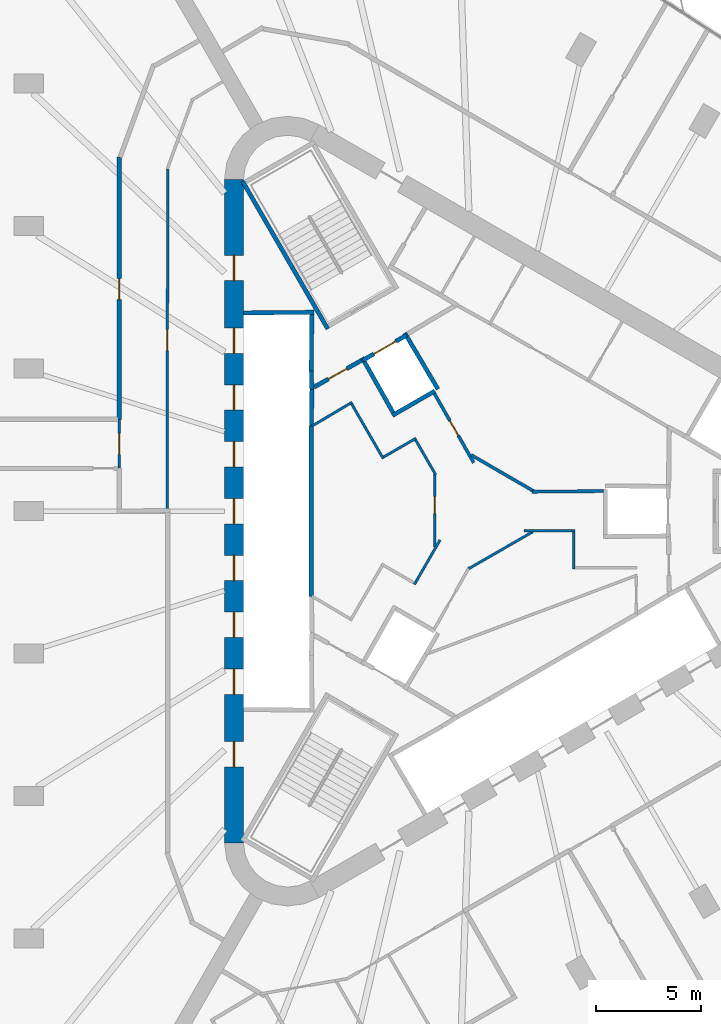
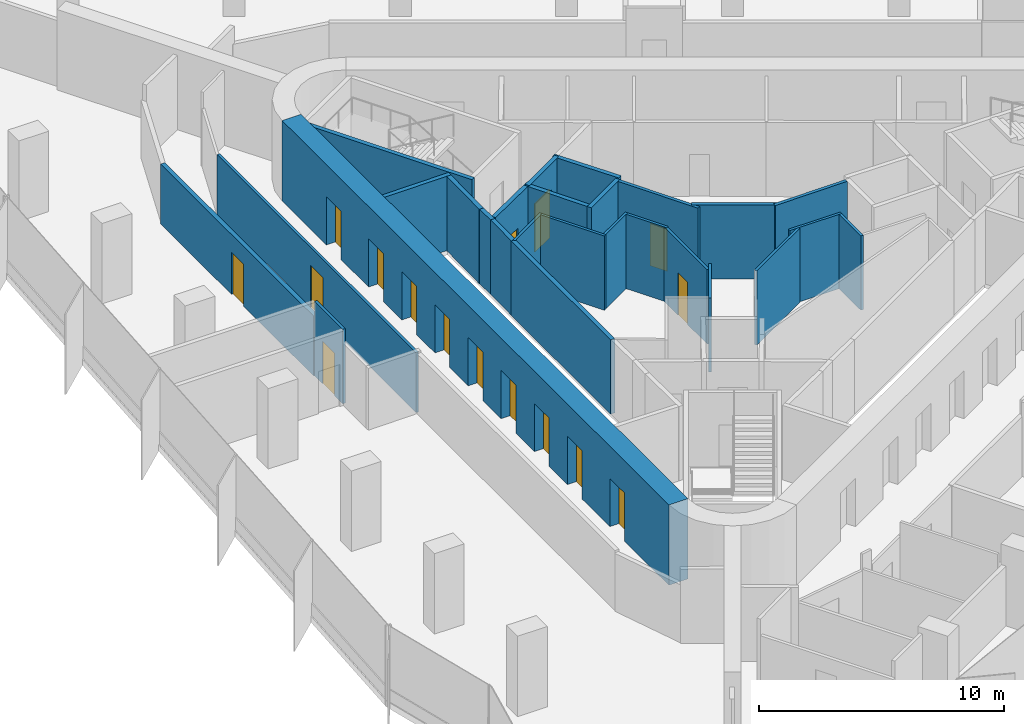
# One storey, part 10 of 14: 27 walls, 16 doors, 16 openings.
"""IFC4 building model written with IfcOpenShell, lengths in metres."""

from ifc_helpers import new_model, si_unit, direction, frame, frame_2d, origin, place, context, subcontext, project, spatial, rectangle, extrude, material, layer, layer_set, type_object, element, fill, save


model = new_model("IFC4")

# Units and contexts
model_context = context("Model", 3, precision=1e-05, world=origin(), true_north=direction((0.0, 1.0)))
body_context = subcontext(model_context, "Body", "Model", "MODEL_VIEW")
ifc_project = project(units=[si_unit("LENGTHUNIT", "METRE"), si_unit("AREAUNIT", "SQUARE_METRE"), si_unit("VOLUMEUNIT", "CUBIC_METRE"), si_unit("PLANEANGLEUNIT", "RADIAN"), si_unit("MASSUNIT", "GRAM", prefix="KILO")], contexts=[model_context])

# Site, building, storey
site_placement = place(None, origin())
site = spatial("IfcSite", under=ifc_project, at=site_placement, CompositionType="ELEMENT")
building_placement = place(site_placement, origin())
building = spatial("IfcBuilding", under=site, at=building_placement, Name="Tanit Gate Tower", CompositionType="ELEMENT")
storey_placement = place(building_placement, frame((0.0, 0.0, 253.199951171875)))
storey = spatial("IfcBuildingStorey", under=building, at=storey_placement, Name="L57", CompositionType="ELEMENT", Elevation=253.199951171875)

# Wall, openings, doors
ifc_material_1 = material(Name="Concrete C50/60", Category="concrete")
ifc_layer_1 = layer(ifc_material_1, 0.89990234375)
ifc_layer_set_1 = layer_set([ifc_layer_1], Name="CORE WALL 900 C50/60")
wall_type_1 = type_object("IfcWallType", Name="CORE WALL 900 C50/60", PredefinedType="SHEAR", material=ifc_layer_set_1)
wall_1_placement = place(storey_placement, frame((-11.64990234375, 15.76171875, 0.0), z_axis=(0.0, 0.0, 1.0), x_axis=(0.0, -1.0, 0.0)))
wall_1 = element("IfcWall", 1, at=wall_1_placement, inside=storey, type_object=wall_type_1, Name="CORE WALL", PredefinedType="SHEAR", context=body_context, shape_type="SweptSolid", body=[
    extrude(rectangle(XDim=31.5234375, YDim=0.89990234375, at=frame_2d((15.76171875, 0.0))), origin(), (0.0, 0.0, 1.0), 4.0),
])
opening_1_placement = place(wall_1_placement, frame((7.061767578125, 0.0, 0.0)))
opening_1 = element("IfcOpeningElement", 2, at=opening_1_placement, cuts=wall_1, Name="Opening LDML1-S16", PredefinedType="OPENING", context=body_context, shape_type="SweptSolid", body=[
    extrude(rectangle(XDim=1.199951171875, YDim=2.39990234375, at=frame_2d((0.60009765625, 1.199951171875))), frame((0.0, 0.4599609375, 0.0), z_axis=(0.0, -1.0, 0.0), x_axis=(1.0, 0.0, 0.0)), (0.0, 0.0, 1.0), 0.919921875),
])
opening_2_placement = place(wall_1_placement, frame((9.76171875, 0.0, 0.0)))
opening_2 = element("IfcOpeningElement", 3, at=opening_2_placement, cuts=wall_1, Name="Opening LDML2-S16", PredefinedType="OPENING", context=body_context, shape_type="SweptSolid", body=[
    extrude(rectangle(XDim=1.199951171875, YDim=2.39990234375, at=frame_2d((0.60009765625, 1.199951171875))), frame((0.0, 0.4599609375, 0.0), z_axis=(0.0, -1.0, 0.0), x_axis=(1.0, 0.0, 0.0)), (0.0, 0.0, 1.0), 0.919921875),
])
opening_3_placement = place(wall_1_placement, frame((12.461669921875, 0.0, 0.0)))
opening_3 = element("IfcOpeningElement", 4, at=opening_3_placement, cuts=wall_1, Name="Opening LDML3-S16", PredefinedType="OPENING", context=body_context, shape_type="SweptSolid", body=[
    extrude(rectangle(XDim=1.199951171875, YDim=2.39990234375, at=frame_2d((0.60009765625, 1.199951171875))), frame((0.0, 0.4599609375, 0.0), z_axis=(0.0, -1.0, 0.0), x_axis=(1.0, 0.0, 0.0)), (0.0, 0.0, 1.0), 0.919921875),
])
opening_4_placement = place(wall_1_placement, frame((15.16162109375, 0.0, 0.0)))
opening_4 = element("IfcOpeningElement", 5, at=opening_4_placement, cuts=wall_1, Name="Opening LDML4-S16", PredefinedType="OPENING", context=body_context, shape_type="SweptSolid", body=[
    extrude(rectangle(XDim=1.199951171875, YDim=2.39990234375, at=frame_2d((0.60009765625, 1.199951171875))), frame((0.0, 0.4599609375, 0.0), z_axis=(0.0, -1.0, 0.0), x_axis=(1.0, 0.0, 0.0)), (0.0, 0.0, 1.0), 0.919921875),
])
opening_5_placement = place(wall_1_placement, frame((17.86181640625, 0.0, 0.0)))
opening_5 = element("IfcOpeningElement", 6, at=opening_5_placement, cuts=wall_1, Name="Opening LDML5-S16", PredefinedType="OPENING", context=body_context, shape_type="SweptSolid", body=[
    extrude(rectangle(XDim=1.199951171875, YDim=2.39990234375, at=frame_2d((0.60009765625, 1.199951171875))), frame((0.0, 0.4599609375, 0.0), z_axis=(0.0, -1.0, 0.0), x_axis=(1.0, 0.0, 0.0)), (0.0, 0.0, 1.0), 0.919921875),
])
opening_6_placement = place(wall_1_placement, frame((20.561767578125, 0.0, 0.0)))
opening_6 = element("IfcOpeningElement", 7, at=opening_6_placement, cuts=wall_1, Name="Opening LDML6-S16", PredefinedType="OPENING", context=body_context, shape_type="SweptSolid", body=[
    extrude(rectangle(XDim=1.199951171875, YDim=2.39990234375, at=frame_2d((0.60009765625, 1.199951171875))), frame((0.0, 0.4599609375, 0.0), z_axis=(0.0, -1.0, 0.0), x_axis=(1.0, 0.0, 0.0)), (0.0, 0.0, 1.0), 0.919921875),
])
opening_7_placement = place(wall_1_placement, frame((23.26171875, 0.0, 0.0)))
opening_7 = element("IfcOpeningElement", 8, at=opening_7_placement, cuts=wall_1, Name="Opening LDML7-S16", PredefinedType="OPENING", context=body_context, shape_type="SweptSolid", body=[
    extrude(rectangle(XDim=1.199951171875, YDim=2.39990234375, at=frame_2d((0.60009765625, 1.199951171875))), frame((0.0, 0.4599609375, 0.0), z_axis=(0.0, -1.0, 0.0), x_axis=(1.0, 0.0, 0.0)), (0.0, 0.0, 1.0), 0.919921875),
])
opening_8_placement = place(wall_1_placement, frame((3.61181640625, 0.0, 0.0)))
opening_8 = element("IfcOpeningElement", 9, at=opening_8_placement, cuts=wall_1, Name="Opening F12-S16-FL2", PredefinedType="OPENING", context=body_context, shape_type="SweptSolid", body=[
    extrude(rectangle(XDim=1.199951171875, YDim=2.39990234375, at=frame_2d((0.60009765625, 1.199951171875))), frame((0.0, 0.4599609375, 0.0), z_axis=(0.0, -1.0, 0.0), x_axis=(1.0, 0.0, 0.0)), (0.0, 0.0, 1.0), 0.919921875),
])
opening_9_placement = place(wall_1_placement, frame((26.711669921875, 0.0, 0.0)))
opening_9 = element("IfcOpeningElement", 10, at=opening_9_placement, cuts=wall_1, Name="Opening F12-S16-S3", PredefinedType="OPENING", context=body_context, shape_type="SweptSolid", body=[
    extrude(rectangle(XDim=1.199951171875, YDim=2.39990234375, at=frame_2d((0.60009765625, 1.199951171875))), frame((0.0, 0.4599609375, 0.0), z_axis=(0.0, -1.0, 0.0), x_axis=(1.0, 0.0, 0.0)), (0.0, 0.0, 1.0), 0.919921875),
])
ifc_material_2 = material(Name="Fire-rated steel door leaf", Category="steel")
door_type_1 = type_object("IfcDoorType", Name="INT-DOOR-FIRE-LOBBY-1200", OperationType="NOTDEFINED", PredefinedType="USERDEFINED", material=ifc_material_2)
door_1_placement = place(opening_8_placement, origin())
door_1 = element("IfcDoor", 11, at=door_1_placement, inside=storey, type_object=door_type_1, Name="Door F12-S16-FL2", ObjectType="FIRE DOOR", OperationType="SINGLE_SWING_LEFT", OverallHeight=2.39990234375, OverallWidth=1.199951171875, PredefinedType="USERDEFINED", context=body_context, shape_type="SweptSolid", body=[
    extrude(rectangle(XDim=1.199951171875, YDim=2.39990234375, at=frame_2d((0.60009765625, 1.199951171875))), frame((0.0, 0.02490234375, 0.0), z_axis=(0.0, -1.0, 0.0), x_axis=(1.0, 0.0, 0.0)), (0.0, 0.0, 1.0), 0.050048828125),
])
fill(opening_8, door_1)
door_2_placement = place(opening_9_placement, origin())
door_2 = element("IfcDoor", 12, at=door_2_placement, inside=storey, type_object=door_type_1, Name="Door F12-S16-S3", ObjectType="FIRE DOOR", OperationType="SINGLE_SWING_RIGHT", OverallHeight=2.39990234375, OverallWidth=1.199951171875, PredefinedType="USERDEFINED", context=body_context, shape_type="SweptSolid", body=[
    extrude(rectangle(XDim=1.199951171875, YDim=2.39990234375, at=frame_2d((0.60009765625, 1.199951171875))), frame((0.0, 0.02490234375, 0.0), z_axis=(0.0, -1.0, 0.0), x_axis=(1.0, 0.0, 0.0)), (0.0, 0.0, 1.0), 0.050048828125),
])
fill(opening_9, door_2)
ifc_material_3 = material(Name="Stainless steel sliding door leaf", Category="steel")
door_type_2 = type_object("IfcDoorType", Name="INT-DOOR-LANDING-1200", OperationType="NOTDEFINED", PredefinedType="USERDEFINED", material=ifc_material_3)
door_3_placement = place(opening_1_placement, origin())
door_3 = element("IfcDoor", 13, at=door_3_placement, inside=storey, type_object=door_type_2, Name="Door LDML1-S16", ObjectType="LANDING DOOR", OperationType="SLIDING_TO_LEFT", OverallHeight=2.39990234375, OverallWidth=1.199951171875, PredefinedType="USERDEFINED", context=body_context, shape_type="SweptSolid", body=[
    extrude(rectangle(XDim=1.199951171875, YDim=2.39990234375, at=frame_2d((0.60009765625, 1.199951171875))), frame((0.0, 0.02490234375, 0.0), z_axis=(0.0, -1.0, 0.0), x_axis=(1.0, 0.0, 0.0)), (0.0, 0.0, 1.0), 0.050048828125),
])
fill(opening_1, door_3)
door_4_placement = place(opening_2_placement, origin())
door_4 = element("IfcDoor", 14, at=door_4_placement, inside=storey, type_object=door_type_2, Name="Door LDML2-S16", ObjectType="LANDING DOOR", OperationType="SLIDING_TO_LEFT", OverallHeight=2.39990234375, OverallWidth=1.199951171875, PredefinedType="USERDEFINED", context=body_context, shape_type="SweptSolid", body=[
    extrude(rectangle(XDim=1.199951171875, YDim=2.39990234375, at=frame_2d((0.60009765625, 1.199951171875))), frame((0.0, 0.02490234375, 0.0), z_axis=(0.0, -1.0, 0.0), x_axis=(1.0, 0.0, 0.0)), (0.0, 0.0, 1.0), 0.050048828125),
])
fill(opening_2, door_4)
door_5_placement = place(opening_3_placement, origin())
door_5 = element("IfcDoor", 15, at=door_5_placement, inside=storey, type_object=door_type_2, Name="Door LDML3-S16", ObjectType="LANDING DOOR", OperationType="SLIDING_TO_LEFT", OverallHeight=2.39990234375, OverallWidth=1.199951171875, PredefinedType="USERDEFINED", context=body_context, shape_type="SweptSolid", body=[
    extrude(rectangle(XDim=1.199951171875, YDim=2.39990234375, at=frame_2d((0.60009765625, 1.199951171875))), frame((0.0, 0.02490234375, 0.0), z_axis=(0.0, -1.0, 0.0), x_axis=(1.0, 0.0, 0.0)), (0.0, 0.0, 1.0), 0.050048828125),
])
fill(opening_3, door_5)
door_6_placement = place(opening_4_placement, origin())
door_6 = element("IfcDoor", 16, at=door_6_placement, inside=storey, type_object=door_type_2, Name="Door LDML4-S16", ObjectType="LANDING DOOR", OperationType="SLIDING_TO_LEFT", OverallHeight=2.39990234375, OverallWidth=1.199951171875, PredefinedType="USERDEFINED", context=body_context, shape_type="SweptSolid", body=[
    extrude(rectangle(XDim=1.199951171875, YDim=2.39990234375, at=frame_2d((0.60009765625, 1.199951171875))), frame((0.0, 0.02490234375, 0.0), z_axis=(0.0, -1.0, 0.0), x_axis=(1.0, 0.0, 0.0)), (0.0, 0.0, 1.0), 0.050048828125),
])
fill(opening_4, door_6)
door_7_placement = place(opening_5_placement, origin())
door_7 = element("IfcDoor", 17, at=door_7_placement, inside=storey, type_object=door_type_2, Name="Door LDML5-S16", ObjectType="LANDING DOOR", OperationType="SLIDING_TO_LEFT", OverallHeight=2.39990234375, OverallWidth=1.199951171875, PredefinedType="USERDEFINED", context=body_context, shape_type="SweptSolid", body=[
    extrude(rectangle(XDim=1.199951171875, YDim=2.39990234375, at=frame_2d((0.60009765625, 1.199951171875))), frame((0.0, 0.02490234375, 0.0), z_axis=(0.0, -1.0, 0.0), x_axis=(1.0, 0.0, 0.0)), (0.0, 0.0, 1.0), 0.050048828125),
])
fill(opening_5, door_7)
door_8_placement = place(opening_6_placement, origin())
door_8 = element("IfcDoor", 18, at=door_8_placement, inside=storey, type_object=door_type_2, Name="Door LDML6-S16", ObjectType="LANDING DOOR", OperationType="SLIDING_TO_LEFT", OverallHeight=2.39990234375, OverallWidth=1.199951171875, PredefinedType="USERDEFINED", context=body_context, shape_type="SweptSolid", body=[
    extrude(rectangle(XDim=1.199951171875, YDim=2.39990234375, at=frame_2d((0.60009765625, 1.199951171875))), frame((0.0, 0.02490234375, 0.0), z_axis=(0.0, -1.0, 0.0), x_axis=(1.0, 0.0, 0.0)), (0.0, 0.0, 1.0), 0.050048828125),
])
fill(opening_6, door_8)
door_9_placement = place(opening_7_placement, origin())
door_9 = element("IfcDoor", 19, at=door_9_placement, inside=storey, type_object=door_type_2, Name="Door LDML7-S16", ObjectType="LANDING DOOR", OperationType="SLIDING_TO_LEFT", OverallHeight=2.39990234375, OverallWidth=1.199951171875, PredefinedType="USERDEFINED", context=body_context, shape_type="SweptSolid", body=[
    extrude(rectangle(XDim=1.199951171875, YDim=2.39990234375, at=frame_2d((0.60009765625, 1.199951171875))), frame((0.0, 0.02490234375, 0.0), z_axis=(0.0, -1.0, 0.0), x_axis=(1.0, 0.0, 0.0)), (0.0, 0.0, 1.0), 0.050048828125),
])
fill(opening_7, door_9)

# Wall, opening, door
ifc_material_4 = material(Name="Fire-rated gypsum board partition")
ifc_layer_2 = layer(ifc_material_4, 0.199951171875)
ifc_layer_set_2 = layer_set([ifc_layer_2], Name="INT-WALL-COMPARTMENT")
wall_type_2 = type_object("IfcWallType", Name="INT-WALL-COMPARTMENT", PredefinedType="PARTITIONING", material=ifc_layer_set_2)
wall_2_placement = place(storey_placement, frame((-5.600341796875, 7.16015625, 0.0), z_axis=(0.0, 0.0, 1.0), x_axis=(-0.871363259478, -0.490638431059, 0.0)))
wall_2 = element("IfcWall", 20, at=wall_2_placement, inside=storey, type_object=wall_type_2, Name="Wall Compartment W065", PredefinedType="PARTITIONING", context=body_context, shape_type="SweptSolid", body=[
    extrude(rectangle(XDim=2.5810546875, YDim=0.199951171875, at=frame_2d((1.29052734375, 0.0))), origin(), (0.0, 0.0, 1.0), 3.699951171875),
])
opening_10_placement = place(wall_2_placement, frame((0.79052734375, 0.0, 0.0)))
opening_10 = element("IfcOpeningElement", 21, at=opening_10_placement, cuts=wall_2, Name="Opening F10-S16-05", PredefinedType="OPENING", context=body_context, shape_type="SweptSolid", body=[
    extrude(rectangle(XDim=1.0, YDim=2.10009765625, at=frame_2d((0.5, 1.050048828125))), frame((0.0, 0.10986328125, 0.0), z_axis=(0.0, -1.0, 0.0), x_axis=(1.0, 0.0, 0.0)), (0.0, 0.0, 1.0), 0.219970703125),
])
ifc_material_5 = material(Name="Fire-rated steel door leaf", Category="steel")
door_type_3 = type_object("IfcDoorType", Name="INT-DOOR-FIRE-1000", OperationType="NOTDEFINED", PredefinedType="USERDEFINED", material=ifc_material_5)
door_10_placement = place(opening_10_placement, origin())
door_10 = element("IfcDoor", 22, at=door_10_placement, inside=storey, type_object=door_type_3, Name="Door F10-S16-05", ObjectType="FIRE DOOR", OperationType="SINGLE_SWING_RIGHT", OverallHeight=2.10009765625, OverallWidth=1.0, PredefinedType="USERDEFINED", context=body_context, shape_type="SweptSolid", body=[
    extrude(rectangle(XDim=1.0, YDim=2.10009765625, at=frame_2d((0.5, 1.050048828125))), frame((0.0, 0.02490234375, 0.0), z_axis=(0.0, -1.0, 0.0), x_axis=(1.0, 0.0, 0.0)), (0.0, 0.0, 1.0), 0.050048828125),
])
fill(opening_10, door_10)

wall_3_placement = place(storey_placement, frame((-17.10009765625, 16.82275390625, 0.0), z_axis=(0.0, 0.0, 1.0), x_axis=(0.0, -1.0, 0.0)))
wall_3 = element("IfcWall", 23, at=wall_3_placement, inside=storey, type_object=wall_type_2, Name="Wall Compartment W093", PredefinedType="PARTITIONING", context=body_context, shape_type="SweptSolid", body=[
    extrude(rectangle(XDim=12.47265625, YDim=0.199951171875, at=frame_2d((6.236328125, 0.0))), origin(), (0.0, 0.0, 1.0), 2.97998046875),
])
opening_11_placement = place(wall_3_placement, frame((5.7763671875, 0.0, 0.0)))
opening_11 = element("IfcOpeningElement", 24, at=opening_11_placement, cuts=wall_3, Name="Opening F10-S16-31", PredefinedType="OPENING", context=body_context, shape_type="SweptSolid", body=[
    extrude(rectangle(XDim=1.0, YDim=2.10009765625, at=frame_2d((0.5, 1.050048828125))), frame((0.0, 0.10986328125, 0.0), z_axis=(0.0, -1.0, 0.0), x_axis=(1.0, 0.0, 0.0)), (0.0, 0.0, 1.0), 0.219970703125),
])
door_11_placement = place(opening_11_placement, origin())
door_11 = element("IfcDoor", 25, at=door_11_placement, inside=storey, type_object=door_type_3, Name="Door F10-S16-31", ObjectType="FIRE DOOR", OperationType="SINGLE_SWING_RIGHT", OverallHeight=2.10009765625, OverallWidth=1.0, PredefinedType="USERDEFINED", context=body_context, shape_type="SweptSolid", body=[
    extrude(rectangle(XDim=1.0, YDim=2.10009765625, at=frame_2d((0.5, 1.050048828125))), frame((0.0, 0.02490234375, 0.0), z_axis=(0.0, -1.0, 0.0), x_axis=(1.0, 0.0, 0.0)), (0.0, 0.0, 1.0), 0.050048828125),
])
fill(opening_11, door_11)

# Walls
ifc_material_6 = material(Name="Gypsum board partition")
ifc_layer_3 = layer(ifc_material_6, 0.1201171875)
ifc_layer_set_3 = layer_set([ifc_layer_3], Name="INT-WALL-PARTITION")
wall_type_3 = type_object("IfcWallType", Name="INT-WALL-PARTITION", PredefinedType="PARTITIONING", material=ifc_layer_set_3)
wall_4_placement = place(storey_placement, frame((2.53857421875, -0.985107421875, 0.0), z_axis=(0.0, 0.0, 1.0), x_axis=(-0.866657135765, -0.498904208268, 0.0)))
element("IfcWall", 26, at=wall_4_placement, inside=storey, type_object=wall_type_3, Name="Wall Partition W073", PredefinedType="PARTITIONING", context=body_context, shape_type="SweptSolid", body=[
    extrude(rectangle(XDim=3.505126953125, YDim=0.1201171875, at=frame_2d((1.75244140625, 0.0))), origin(), (0.0, 0.0, 1.0), 3.699951171875),
])
wall_5_placement = place(storey_placement, frame((4.56005859375, -0.925048828125, 0.0), z_axis=(0.0, 0.0, 1.0), x_axis=(-1.0, 0.0, 0.0)))
element("IfcWall", 27, at=wall_5_placement, inside=storey, type_object=wall_type_3, Name="Wall Partition W074", PredefinedType="PARTITIONING", context=body_context, shape_type="SweptSolid", body=[
    extrude(rectangle(XDim=2.438232421875, YDim=0.1201171875, at=frame_2d((1.21923828125, 0.0))), origin(), (0.0, 0.0, 1.0), 3.699951171875),
])
wall_6_placement = place(storey_placement, frame((4.5, -2.760009765625, 0.0), z_axis=(0.0, 0.0, 1.0), x_axis=(0.0, 1.0, 0.0)))
element("IfcWall", 28, at=wall_6_placement, inside=storey, type_object=wall_type_3, Name="Wall Partition W075", PredefinedType="PARTITIONING", context=body_context, shape_type="SweptSolid", body=[
    extrude(rectangle(XDim=1.77490234375, YDim=0.1201171875, at=frame_2d((0.887451171875, 0.0))), origin(), (0.0, 0.0, 1.0), 3.699951171875),
])
wall_7_placement = place(storey_placement, frame((-6.03662109375, 5.17578125, 0.0), z_axis=(0.0, 0.0, 1.0), x_axis=(-0.860106072674, -0.510115225953, 0.0)))
element("IfcWall", 29, at=wall_7_placement, inside=storey, type_object=wall_type_3, Name="Wall Partition W078", PredefinedType="PARTITIONING", context=body_context, shape_type="SweptSolid", body=[
    extrude(rectangle(XDim=2.224609375, YDim=0.1201171875, at=frame_2d((1.1123046875, 0.0))), origin(), (0.0, 0.0, 1.0), 3.699951171875),
])
wall_8_placement = place(storey_placement, frame((-4.558349609375, 2.4951171875, 0.0), z_axis=(0.0, 0.0, 1.0), x_axis=(-0.499990139034, 0.866031096941, 0.0)))
element("IfcWall", 30, at=wall_8_placement, inside=storey, type_object=wall_type_3, Name="Wall Partition W079", PredefinedType="PARTITIONING", context=body_context, shape_type="SweptSolid", body=[
    extrude(rectangle(XDim=3.0, YDim=0.1201171875, at=frame_2d((1.5, 0.0))), origin(), (0.0, 0.0, 1.0), 3.699951171875),
])
wall_9_placement = place(storey_placement, frame((-2.9990234375, 3.464599609375, 0.0), z_axis=(0.0, 0.0, 1.0), x_axis=(-0.866059624469, -0.499940723351, 0.0)))
element("IfcWall", 31, at=wall_9_placement, inside=storey, type_object=wall_type_3, Name="Wall Partition W080", PredefinedType="PARTITIONING", context=body_context, shape_type="SweptSolid", body=[
    extrude(rectangle(XDim=1.775146484375, YDim=0.1201171875, at=frame_2d((0.8876953125, 0.0))), origin(), (0.0, 0.0, 1.0), 3.699951171875),
])
wall_10_placement = place(storey_placement, frame((-2.066162109375, 1.728759765625, 0.0), z_axis=(0.0, 0.0, 1.0), x_axis=(-0.500002807145, 0.866023783073, 0.0)))
element("IfcWall", 32, at=wall_10_placement, inside=storey, type_object=wall_type_3, Name="Wall Partition W081", PredefinedType="PARTITIONING", context=body_context, shape_type="SweptSolid", body=[
    extrude(rectangle(XDim=1.90966796875, YDim=0.1201171875, at=frame_2d((0.954833984375, 0.0))), origin(), (0.0, 0.0, 1.0), 3.699951171875),
])

# Wall, opening, door
wall_11_placement = place(storey_placement, frame((-2.122314453125, -1.7060546875, 0.0), z_axis=(0.0, 0.0, 1.0), x_axis=(0.001253480909, 0.999999214392, 0.0)))
wall_11 = element("IfcWall", 33, at=wall_11_placement, inside=storey, type_object=wall_type_3, Name="Wall Partition W082", PredefinedType="PARTITIONING", context=body_context, shape_type="SweptSolid", body=[
    extrude(rectangle(XDim=3.505859375, YDim=0.1201171875, at=frame_2d((1.7529296875, 0.0))), origin(), (0.0, 0.0, 1.0), 3.699951171875),
])
opening_12_placement = place(wall_11_placement, frame((1.593505859375, 0.0, 0.0)))
opening_12 = element("IfcOpeningElement", 34, at=opening_12_placement, cuts=wall_11, Name="Opening R08-S16-13", PredefinedType="OPENING", context=body_context, shape_type="SweptSolid", body=[
    extrude(rectangle(XDim=0.800048828125, YDim=2.10009765625, at=frame_2d((0.39990234375, 1.050048828125))), frame((0.0, 0.070068359375, 0.0), z_axis=(0.0, -1.0, 0.0), x_axis=(1.0, 0.0, 0.0)), (0.0, 0.0, 1.0), 0.14013671875),
])
ifc_material_7 = material(Name="Timber door leaf", Category="wood")
door_type_4 = type_object("IfcDoorType", Name="INT-DOOR-RISER-800", OperationType="NOTDEFINED", PredefinedType="USERDEFINED", material=ifc_material_7)
door_12_placement = place(opening_12_placement, origin())
door_12 = element("IfcDoor", 35, at=door_12_placement, inside=storey, type_object=door_type_4, Name="Door R08-S16-13", ObjectType="FIRE DOOR", OperationType="SINGLE_SWING_RIGHT", OverallHeight=2.10009765625, OverallWidth=0.800048828125, PredefinedType="USERDEFINED", context=body_context, shape_type="SweptSolid", body=[
    extrude(rectangle(XDim=0.800048828125, YDim=2.10009765625, at=frame_2d((0.39990234375, 1.050048828125))), frame((0.0, 0.02490234375, 0.0), z_axis=(0.0, -1.0, 0.0), x_axis=(1.0, 0.0, 0.0)), (0.0, 0.0, 1.0), 0.050048828125),
])
fill(opening_12, door_12)

# Wall
wall_12_placement = place(storey_placement, frame((-3.0810546875, -3.486572265625, 0.0), z_axis=(0.0, 0.0, 1.0), x_axis=(0.499962263673, 0.866047189767, 0.0)))
element("IfcWall", 36, at=wall_12_placement, inside=storey, type_object=wall_type_3, Name="Wall Partition W083", PredefinedType="PARTITIONING", context=body_context, shape_type="SweptSolid", body=[
    extrude(rectangle(XDim=2.438232421875, YDim=0.1201171875, at=frame_2d((1.21923828125, 0.0))), origin(), (0.0, 0.0, 1.0), 3.699951171875),
])

# Wall, opening, door
wall_13_placement = place(storey_placement, frame((-14.800048828125, 16.257080078125, 0.0), z_axis=(0.0, 0.0, 1.0), x_axis=(-0.001847148781, -0.999998294019, 0.0)))
wall_13 = element("IfcWall", 37, at=wall_13_placement, inside=storey, type_object=wall_type_3, Name="Wall Partition W089", PredefinedType="PARTITIONING", context=body_context, shape_type="SweptSolid", body=[
    extrude(rectangle(XDim=16.257080078125, YDim=0.1201171875, at=frame_2d((8.12841796875, 0.0))), origin(), (0.0, 0.0, 1.0), 2.97998046875),
])
opening_13_placement = place(wall_13_placement, frame((7.628662109375, 0.0, 0.0)))
opening_13 = element("IfcOpeningElement", 38, at=opening_13_placement, cuts=wall_13, Name="Opening D10-S16-19", PredefinedType="OPENING", context=body_context, shape_type="SweptSolid", body=[
    extrude(rectangle(XDim=1.0, YDim=2.10009765625, at=frame_2d((0.5, 1.050048828125))), frame((0.0, 0.070068359375, 0.0), z_axis=(0.0, -1.0, 0.0), x_axis=(1.0, 0.0, 0.0)), (0.0, 0.0, 1.0), 0.14013671875),
])
ifc_material_8 = material(Name="Timber door leaf", Category="wood")
door_type_5 = type_object("IfcDoorType", Name="INT-DOOR-SINGLE-1000", OperationType="NOTDEFINED", PredefinedType="NOTDEFINED", material=ifc_material_8)
door_13_placement = place(opening_13_placement, origin())
door_13 = element("IfcDoor", 39, at=door_13_placement, inside=storey, type_object=door_type_5, Name="Door D10-S16-19", OperationType="SINGLE_SWING_LEFT", OverallHeight=2.10009765625, OverallWidth=1.0, PredefinedType="NOTDEFINED", context=body_context, shape_type="SweptSolid", body=[
    extrude(rectangle(XDim=1.0, YDim=2.10009765625, at=frame_2d((0.5, 1.050048828125))), frame((0.0, 0.02490234375, 0.0), z_axis=(0.0, -1.0, 0.0), x_axis=(1.0, 0.0, 0.0)), (0.0, 0.0, 1.0), 0.050048828125),
])
fill(opening_13, door_13)

wall_14_placement = place(storey_placement, frame((-17.10009765625, 4.35009765625, 0.0), z_axis=(0.0, 0.0, 1.0), x_axis=(0.0, -1.0, 0.0)))
wall_14 = element("IfcWall", 40, at=wall_14_placement, inside=storey, type_object=wall_type_3, Name="Wall Partition W090", PredefinedType="PARTITIONING", context=body_context, shape_type="SweptSolid", body=[
    extrude(rectangle(XDim=2.300048828125, YDim=0.1201171875, at=frame_2d((1.14990234375, 0.0))), origin(), (0.0, 0.0, 1.0), 3.699951171875),
])
opening_14_placement = place(wall_14_placement, frame((0.64990234375, 0.0, 0.0)))
opening_14 = element("IfcOpeningElement", 41, at=opening_14_placement, cuts=wall_14, Name="Opening D10-S16-20", PredefinedType="OPENING", context=body_context, shape_type="SweptSolid", body=[
    extrude(rectangle(XDim=1.0, YDim=2.10009765625, at=frame_2d((0.5, 1.050048828125))), frame((0.0, 0.070068359375, 0.0), z_axis=(0.0, -1.0, 0.0), x_axis=(1.0, 0.0, 0.0)), (0.0, 0.0, 1.0), 0.14013671875),
])
door_14_placement = place(opening_14_placement, origin())
door_14 = element("IfcDoor", 42, at=door_14_placement, inside=storey, type_object=door_type_5, Name="Door D10-S16-20", OperationType="SINGLE_SWING_LEFT", OverallHeight=2.10009765625, OverallWidth=1.0, PredefinedType="NOTDEFINED", context=body_context, shape_type="SweptSolid", body=[
    extrude(rectangle(XDim=1.0, YDim=2.10009765625, at=frame_2d((0.5, 1.050048828125))), frame((0.0, 0.02490234375, 0.0), z_axis=(0.0, -1.0, 0.0), x_axis=(1.0, 0.0, 0.0)), (0.0, 0.0, 1.0), 0.050048828125),
])
fill(opening_14, door_14)

# Walls
ifc_material_9 = material(Name="Fire-rated gypsum board partition")
ifc_layer_4 = layer(ifc_material_9, 0.14990234375)
ifc_layer_set_4 = layer_set([ifc_layer_4], Name="INT-WALL-RISER")
wall_type_4 = type_object("IfcWallType", Name="INT-WALL-RISER", PredefinedType="PLUMBINGWALL", material=ifc_layer_set_4)
wall_15_placement = place(storey_placement, frame((2.5068359375, 0.923828125, 0.0), z_axis=(0.0, 0.0, 1.0), x_axis=(0.999961473465, 0.008777903278, 0.0)))
element("IfcWall", 43, at=wall_15_placement, inside=storey, type_object=wall_type_4, Name="Wall Riser W068", PredefinedType="PLUMBINGWALL", context=body_context, shape_type="SweptSolid", body=[
    extrude(rectangle(XDim=3.393310546875, YDim=0.14990234375, at=frame_2d((1.69677734375, 0.0))), origin(), (0.0, 0.0, 1.0), 3.699951171875),
])
wall_16_placement = place(storey_placement, frame((-0.38525390625, 2.673095703125, 0.0), z_axis=(0.0, 0.0, 1.0), x_axis=(0.865415028875, -0.501055713266, 0.0)))
element("IfcWall", 44, at=wall_16_placement, inside=storey, type_object=wall_type_4, Name="Wall Riser W069", PredefinedType="PLUMBINGWALL", context=body_context, shape_type="SweptSolid", body=[
    extrude(rectangle(XDim=3.46484375, YDim=0.14990234375, at=frame_2d((1.732421875, 0.0))), origin(), (0.0, 0.0, 1.0), 3.699951171875),
])

# Wall, opening, door
wall_17_placement = place(storey_placement, frame((-2.1240234375, 5.58642578125, 0.0), z_axis=(0.0, 0.0, 1.0), x_axis=(0.493408695398, -0.869797596746, 0.0)))
wall_17 = element("IfcWall", 45, at=wall_17_placement, inside=storey, type_object=wall_type_4, Name="Wall Riser W070", PredefinedType="PLUMBINGWALL", context=body_context, shape_type="SweptSolid", body=[
    extrude(rectangle(XDim=3.7783203125, YDim=0.14990234375, at=frame_2d((1.88916015625, 0.0))), origin(), (0.0, 0.0, 1.0), 3.699951171875),
])
opening_15_placement = place(wall_17_placement, frame((1.4892578125, 0.0, 0.0)))
opening_15 = element("IfcOpeningElement", 46, at=opening_15_placement, cuts=wall_17, Name="Opening R08-S16-10", PredefinedType="OPENING", context=body_context, shape_type="SweptSolid", body=[
    extrude(rectangle(XDim=0.800048828125, YDim=2.10009765625, at=frame_2d((0.39990234375, 1.050048828125))), frame((0.0, 0.0849609375, 0.0), z_axis=(0.0, -1.0, 0.0), x_axis=(1.0, 0.0, 0.0)), (0.0, 0.0, 1.0), 0.169921875),
])
door_15_placement = place(opening_15_placement, origin())
door_15 = element("IfcDoor", 47, at=door_15_placement, inside=storey, type_object=door_type_4, Name="Door R08-S16-10", ObjectType="FIRE DOOR", OperationType="SINGLE_SWING_RIGHT", OverallHeight=2.10009765625, OverallWidth=0.800048828125, PredefinedType="USERDEFINED", context=body_context, shape_type="SweptSolid", body=[
    extrude(rectangle(XDim=0.800048828125, YDim=2.10009765625, at=frame_2d((0.39990234375, 1.050048828125))), frame((0.0, 0.02490234375, 0.0), z_axis=(0.0, -1.0, 0.0), x_axis=(1.0, 0.0, 0.0)), (0.0, 0.0, 1.0), 0.050048828125),
])
fill(opening_15, door_15)

# Walls
ifc_material_10 = material(Name="Gypsum shaft wall system")
ifc_layer_5 = layer(ifc_material_10, 0.199951171875)
ifc_layer_set_5 = layer_set([ifc_layer_5], Name="INT-WALL-SHAFT")
wall_type_5 = type_object("IfcWallType", Name="INT-WALL-SHAFT", PredefinedType="PLUMBINGWALL", material=ifc_layer_set_5)
wall_18_placement = place(storey_placement, frame((-11.199951171875, 9.419921875, 0.0), z_axis=(0.0, 0.0, 1.0), x_axis=(0.999957167047, 0.009255488683, 0.0)))
element("IfcWall", 48, at=wall_18_placement, inside=storey, type_object=wall_type_5, Name="Wall Shaft W001", PredefinedType="PLUMBINGWALL", context=body_context, shape_type="SweptSolid", body=[
    extrude(rectangle(XDim=3.35009765625, YDim=0.199951171875, at=frame_2d((1.675048828125, 0.0))), origin(), (0.0, 0.0, 1.0), 3.699951171875),
])
wall_19_placement = place(storey_placement, frame((-7.951171875, 9.35009765625, 0.0), z_axis=(0.0, 0.0, 1.0), x_axis=(-0.011120469654, -0.999938165666, 0.0)))
element("IfcWall", 49, at=wall_19_placement, inside=storey, type_object=wall_type_5, Name="Wall Shaft W002", PredefinedType="PLUMBINGWALL", context=body_context, shape_type="SweptSolid", body=[
    extrude(rectangle(XDim=2.700439453125, YDim=0.199951171875, at=frame_2d((1.35009765625, 0.0))), origin(), (0.0, 0.0, 1.0), 3.699951171875),
])
wall_20_placement = place(storey_placement, frame((-7.97705078125, 6.650146484375, 0.0), z_axis=(0.0, 0.0, 1.0), x_axis=(0.030861509705, -0.999523670164, 0.0)))
element("IfcWall", 50, at=wall_20_placement, inside=storey, type_object=wall_type_5, Name="Wall Shaft W003", PredefinedType="PLUMBINGWALL", context=body_context, shape_type="SweptSolid", body=[
    extrude(rectangle(XDim=0.878173828125, YDim=0.199951171875, at=frame_2d((0.43896484375, 0.0))), origin(), (0.0, 0.0, 1.0), 3.699951171875),
])
wall_21_placement = place(storey_placement, frame((-7.94921875, 5.894775390625, 0.0), z_axis=(0.0, 0.0, 1.0), x_axis=(-0.012042535896, -0.999927486035, 0.0)))
element("IfcWall", 51, at=wall_21_placement, inside=storey, type_object=wall_type_5, Name="Wall Shaft W004", PredefinedType="PLUMBINGWALL", context=body_context, shape_type="SweptSolid", body=[
    extrude(rectangle(XDim=1.844970703125, YDim=0.199951171875, at=frame_2d((0.92236328125, 0.0))), origin(), (0.0, 0.0, 1.0), 3.699951171875),
])
wall_22_placement = place(storey_placement, frame((-7.97998046875, 4.050048828125, 0.0), z_axis=(0.0, 0.0, 1.0), x_axis=(0.0, -1.0, 0.0)))
element("IfcWall", 52, at=wall_22_placement, inside=storey, type_object=wall_type_5, Name="Wall Shaft W005", PredefinedType="PLUMBINGWALL", context=body_context, shape_type="SweptSolid", body=[
    extrude(rectangle(XDim=8.10009765625, YDim=0.199951171875, at=frame_2d((4.050048828125, 0.0))), origin(), (0.0, 0.0, 1.0), 3.699951171875),
])

# Wall, opening, door
wall_23_placement = place(storey_placement, frame((-5.524169921875, 7.168212890625, 0.0), z_axis=(0.0, 0.0, 1.0), x_axis=(0.866024647952, 0.500001309137, 0.0)))
wall_23 = element("IfcWall", 53, at=wall_23_placement, inside=storey, type_object=wall_type_5, Name="Wall Shaft W037", PredefinedType="PLUMBINGWALL", context=body_context, shape_type="SweptSolid", body=[
    extrude(rectangle(XDim=2.39990234375, YDim=0.199951171875, at=frame_2d((1.199951171875, 0.0))), origin(), (0.0, 0.0, 1.0), 3.699951171875),
])
opening_16_placement = place(wall_23_placement, frame((0.60009765625, 0.0, 0.0)))
opening_16 = element("IfcOpeningElement", 54, at=opening_16_placement, cuts=wall_23, Name="Opening LDFL2-L57", PredefinedType="OPENING", context=body_context, shape_type="SweptSolid", body=[
    extrude(rectangle(XDim=1.199951171875, YDim=2.39990234375, at=frame_2d((0.60009765625, 1.199951171875))), frame((0.0, 0.10986328125, 0.0), z_axis=(0.0, -1.0, 0.0), x_axis=(1.0, 0.0, 0.0)), (0.0, 0.0, 1.0), 0.219970703125),
])
door_16_placement = place(opening_16_placement, origin())
door_16 = element("IfcDoor", 55, at=door_16_placement, inside=storey, type_object=door_type_2, Name="Door LDFL2-L57", ObjectType="LANDING DOOR", OperationType="SLIDING_TO_LEFT", OverallHeight=2.39990234375, OverallWidth=1.199951171875, PredefinedType="USERDEFINED", context=body_context, shape_type="SweptSolid", body=[
    extrude(rectangle(XDim=1.199951171875, YDim=2.39990234375, at=frame_2d((0.60009765625, 1.199951171875))), frame((0.0, 0.02490234375, 0.0), z_axis=(0.0, -1.0, 0.0), x_axis=(1.0, 0.0, 0.0)), (0.0, 0.0, 1.0), 0.050048828125),
])
fill(opening_16, door_16)

# Walls
wall_24_placement = place(storey_placement, frame((-3.53759765625, 8.46533203125, 0.0), z_axis=(0.0, 0.0, 1.0), x_axis=(0.508647062354, -0.860975125052, 0.0)))
element("IfcWall", 56, at=wall_24_placement, inside=storey, type_object=wall_type_5, Name="Wall Shaft W038", PredefinedType="PLUMBINGWALL", context=body_context, shape_type="SweptSolid", body=[
    extrude(rectangle(XDim=3.10009765625, YDim=0.199951171875, at=frame_2d((1.550048828125, 0.0))), origin(), (0.0, 0.0, 1.0), 3.699951171875),
])
wall_25_placement = place(storey_placement, frame((-2.1083984375, 5.7109375, 0.0), z_axis=(0.0, 0.0, 1.0), x_axis=(-0.866009305107, -0.50002788269, 0.0)))
element("IfcWall", 57, at=wall_25_placement, inside=storey, type_object=wall_type_5, Name="Wall Shaft W039", PredefinedType="PLUMBINGWALL", context=body_context, shape_type="SweptSolid", body=[
    extrude(rectangle(XDim=2.329345703125, YDim=0.199951171875, at=frame_2d((1.16455078125, 0.0))), origin(), (0.0, 0.0, 1.0), 3.699951171875),
])
wall_26_placement = place(storey_placement, frame((-5.5625, 7.29638671875, 0.0), z_axis=(0.0, 0.0, 1.0), x_axis=(0.49134651263, -0.870964180966, 0.0)))
element("IfcWall", 58, at=wall_26_placement, inside=storey, type_object=wall_type_5, Name="Wall Shaft W040", PredefinedType="PLUMBINGWALL", context=body_context, shape_type="SweptSolid", body=[
    extrude(rectangle(XDim=3.000244140625, YDim=0.199951171875, at=frame_2d((1.5, 0.0))), origin(), (0.0, 0.0, 1.0), 3.699951171875),
])
ifc_material_11 = material(Name="Concrete C40/50", Category="concrete")
ifc_layer_6 = layer(ifc_material_11, 0.199951171875)
ifc_layer_set_6 = layer_set([ifc_layer_6], Name="INT-WALL-STAIR")
wall_type_6 = type_object("IfcWallType", Name="INT-WALL-STAIR", PredefinedType="SHEAR", material=ifc_layer_set_6)
wall_27_placement = place(storey_placement, frame((-11.245361328125, 15.677734375, -0.300048828125), z_axis=(0.0, 0.0, 1.0), x_axis=(0.499977274689, -0.866038523851, 0.0)))
element("IfcWall", 59, at=wall_27_placement, inside=storey, type_object=wall_type_6, Name="Wall Stair W033", PredefinedType="SHEAR", context=body_context, shape_type="SweptSolid", body=[
    extrude(rectangle(XDim=8.10009765625, YDim=0.199951171875, at=frame_2d((4.050048828125, 0.0))), origin(), (0.0, 0.0, 1.0), 4.0),
])

save(model, "model.ifc")
